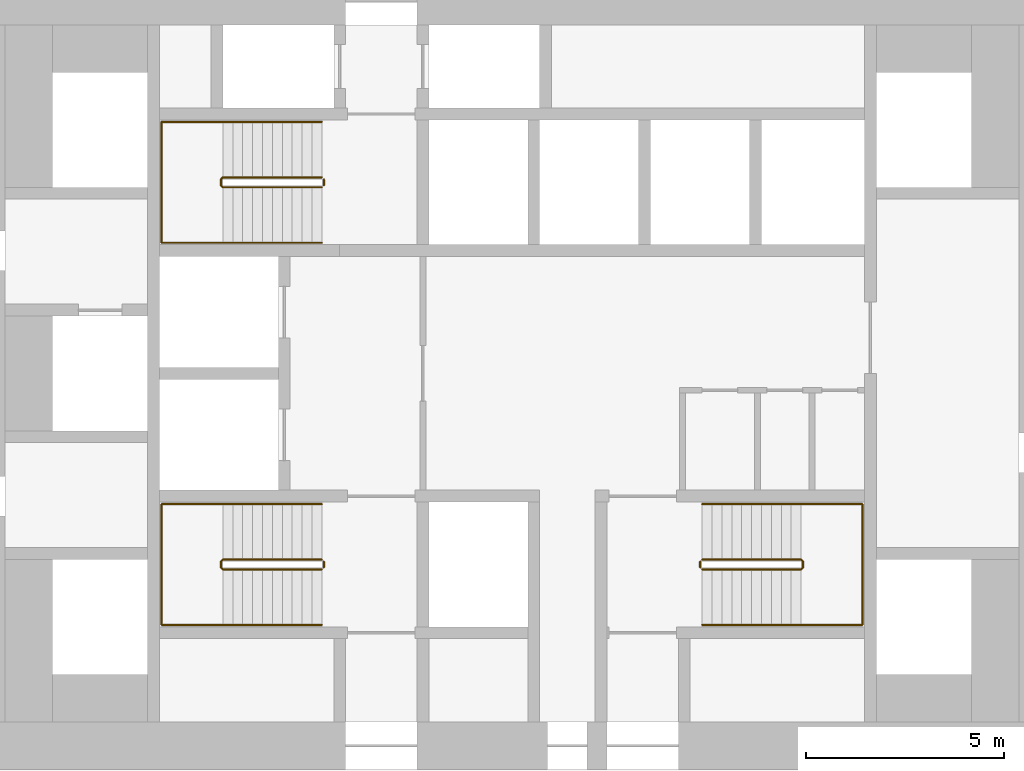
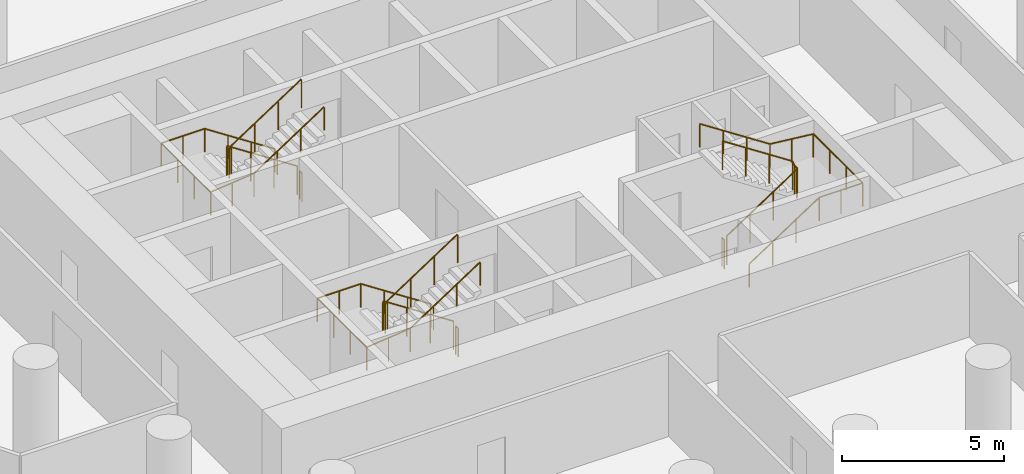
# One storey, part 12 of 12: 9 railings.
"""IFC4 building model written with IfcOpenShell, lengths in metres."""

from ifc_helpers import new_model, si_unit, direction, frame, origin, origin_2d, place, context, subcontext, project, spatial, circle, extrude, material, type_object, element, save


model = new_model("IFC4")

# Units and contexts
model_context = context("Model", 3, precision=1e-05, world=origin(), true_north=direction((0.0, 1.0)))
body_context = subcontext(model_context, "Body", "Model", "MODEL_VIEW")
ifc_project = project(units=[si_unit("LENGTHUNIT", "METRE"), si_unit("AREAUNIT", "SQUARE_METRE"), si_unit("VOLUMEUNIT", "CUBIC_METRE"), si_unit("PLANEANGLEUNIT", "RADIAN"), si_unit("MASSUNIT", "GRAM", prefix="KILO")], contexts=[model_context])

# Site, building, storey
site_placement = place(None, origin())
site = spatial("IfcSite", under=ifc_project, at=site_placement, CompositionType="ELEMENT")
building_placement = place(site_placement, origin())
building = spatial("IfcBuilding", under=site, at=building_placement, Name="Tracery Tower", CompositionType="ELEMENT")
storey_placement = place(building_placement, frame((0.0, 0.0, 111.0)))
storey = spatial("IfcBuildingStorey", under=building, at=storey_placement, Name="L28", CompositionType="ELEMENT", Elevation=111.0)

# Railings
ifc_material_1 = material(Name="Stainless steel and laminated glass", Category="steel")
railing_type_1 = type_object("IfcRailingType", Name="Stair guard 1100", PredefinedType="GUARDRAIL", material=ifc_material_1)
railing_1_placement = place(storey_placement, frame((-4.800048828125, -4.699951171875, 0.16357421875)))
element("IfcRailing", 1, at=railing_1_placement, inside=storey, type_object=railing_type_1, Name="L28 stair ST1 guard 1", PredefinedType="GUARDRAIL", context=body_context, shape_type="SweptSolid", body=[
    extrude(circle(Radius=0.02392578125, at=origin_2d()), frame((0.0, 0.0, 1.076171875), z_axis=(-0.83668449804, 0.0, 0.54768517484), x_axis=(0.0, -1.0, 0.0)), (0.0, 0.0, 1.0), 2.988037109375),
    extrude(circle(Radius=0.02392578125, at=origin_2d()), frame((-2.5, 0.0, 2.71240234375), z_axis=(-0.707106781187, -0.707106781187, 0.0), x_axis=(0.707106781187, -0.707106781187, 0.0)), (0.0, 0.0, 1.0), 0.07080078125),
    extrude(circle(Radius=0.02392578125, at=origin_2d()), frame((-2.550048828125, -0.050048828125, 2.71240234375), z_axis=(0.0, -1.0, 0.0), x_axis=(1.0, 0.0, 0.0)), (0.0, 0.0, 1.0), 0.14990234375),
    extrude(circle(Radius=0.02392578125, at=origin_2d()), frame((-2.550048828125, -0.199951171875, 2.71240234375), z_axis=(0.280808744504, -0.280808744504, 0.917765164963), x_axis=(0.707106781187, 0.707106781187, 0.0)), (0.0, 0.0, 1.0), 0.17822265625),
    extrude(circle(Radius=0.02392578125, at=origin_2d()), frame((-2.5, -0.25, 2.8759765625), z_axis=(0.83668449804, 0.0, 0.54768517484), x_axis=(0.0, 1.0, 0.0)), (0.0, 0.0, 1.0), 2.988037109375),
    extrude(circle(Radius=0.02099609375, at=origin_2d()), origin(), (0.0, 0.0, 1.0), 1.052001953125),
    extrude(circle(Radius=0.02099609375, at=origin_2d()), frame((-0.833251953125, 0.0, 0.54541015625)), (0.0, 0.0, 1.0), 1.052001953125),
    extrude(circle(Radius=0.02099609375, at=origin_2d()), frame((-1.666748046875, 0.0, 1.091064453125)), (0.0, 0.0, 1.0), 1.052001953125),
    extrude(circle(Radius=0.02099609375, at=origin_2d()), frame((-2.5, 0.0, 1.636474609375)), (0.0, 0.0, 1.0), 1.052001953125),
    extrude(circle(Radius=0.02099609375, at=origin_2d()), frame((-2.550048828125, -0.050048828125, 1.636474609375)), (0.0, 0.0, 1.0), 1.052001953125),
    extrude(circle(Radius=0.02099609375, at=origin_2d()), frame((-2.550048828125, -0.199951171875, 1.636474609375)), (0.0, 0.0, 1.0), 1.052001953125),
    extrude(circle(Radius=0.02099609375, at=origin_2d()), frame((-2.5, -0.25, 1.800048828125)), (0.0, 0.0, 1.0), 1.052001953125),
    extrude(circle(Radius=0.02099609375, at=origin_2d()), frame((-1.666748046875, -0.25, 2.345458984375)), (0.0, 0.0, 1.0), 1.052001953125),
    extrude(circle(Radius=0.02099609375, at=origin_2d()), frame((-0.833251953125, -0.25, 2.89111328125)), (0.0, 0.0, 1.0), 1.052001953125),
    extrude(circle(Radius=0.02099609375, at=origin_2d()), frame((0.0, -0.25, 3.4365234375)), (0.0, 0.0, 1.0), 1.052001953125),
])
railing_2_placement = place(storey_placement, frame((-4.75, -4.75, 0.0)))
element("IfcRailing", 2, at=railing_2_placement, inside=storey, type_object=railing_type_1, Name="L28 stair ST1 guard 2", PredefinedType="GUARDRAIL", context=body_context, shape_type="SweptSolid", body=[
    extrude(circle(Radius=0.02392578125, at=origin_2d()), frame((0.0, 0.0, 1.076171875), z_axis=(0.0, -1.0, 0.0), x_axis=(1.0, 0.0, 0.0)), (0.0, 0.0, 1.0), 0.14990234375),
    extrude(circle(Radius=0.02099609375, at=origin_2d()), origin(), (0.0, 0.0, 1.0), 1.052001953125),
    extrude(circle(Radius=0.02099609375, at=origin_2d()), frame((0.0, -0.14990234375, 0.0)), (0.0, 0.0, 1.0), 1.052001953125),
])
railing_3_placement = place(storey_placement, frame((-4.800048828125, 4.949951171875, 0.16357421875)))
element("IfcRailing", 3, at=railing_3_placement, inside=storey, type_object=railing_type_1, Name="L28 stair ST3 guard 1", PredefinedType="GUARDRAIL", context=body_context, shape_type="SweptSolid", body=[
    extrude(circle(Radius=0.02392578125, at=origin_2d()), frame((0.0, 0.0, 1.076171875), z_axis=(-0.83668449804, 0.0, 0.54768517484), x_axis=(0.0, -1.0, 0.0)), (0.0, 0.0, 1.0), 2.988037109375),
    extrude(circle(Radius=0.02392578125, at=origin_2d()), frame((-2.5, 0.0, 2.71240234375), z_axis=(-0.707106781187, -0.707106781187, 0.0), x_axis=(0.707106781187, -0.707106781187, 0.0)), (0.0, 0.0, 1.0), 0.07080078125),
    extrude(circle(Radius=0.02392578125, at=origin_2d()), frame((-2.550048828125, -0.050048828125, 2.71240234375), z_axis=(0.0, -1.0, 0.0), x_axis=(1.0, 0.0, 0.0)), (0.0, 0.0, 1.0), 0.14990234375),
    extrude(circle(Radius=0.02392578125, at=origin_2d()), frame((-2.550048828125, -0.199951171875, 2.71240234375), z_axis=(0.280808744504, -0.280808744504, 0.917765164963), x_axis=(0.707106781187, 0.707106781187, 0.0)), (0.0, 0.0, 1.0), 0.17822265625),
    extrude(circle(Radius=0.02392578125, at=origin_2d()), frame((-2.5, -0.25, 2.8759765625), z_axis=(0.83668449804, 0.0, 0.54768517484), x_axis=(0.0, 1.0, 0.0)), (0.0, 0.0, 1.0), 2.988037109375),
    extrude(circle(Radius=0.02099609375, at=origin_2d()), origin(), (0.0, 0.0, 1.0), 1.052001953125),
    extrude(circle(Radius=0.02099609375, at=origin_2d()), frame((-0.833251953125, 0.0, 0.54541015625)), (0.0, 0.0, 1.0), 1.052001953125),
    extrude(circle(Radius=0.02099609375, at=origin_2d()), frame((-1.666748046875, 0.0, 1.091064453125)), (0.0, 0.0, 1.0), 1.052001953125),
    extrude(circle(Radius=0.02099609375, at=origin_2d()), frame((-2.5, 0.0, 1.636474609375)), (0.0, 0.0, 1.0), 1.052001953125),
    extrude(circle(Radius=0.02099609375, at=origin_2d()), frame((-2.550048828125, -0.050048828125, 1.636474609375)), (0.0, 0.0, 1.0), 1.052001953125),
    extrude(circle(Radius=0.02099609375, at=origin_2d()), frame((-2.550048828125, -0.199951171875, 1.636474609375)), (0.0, 0.0, 1.0), 1.052001953125),
    extrude(circle(Radius=0.02099609375, at=origin_2d()), frame((-2.5, -0.25, 1.800048828125)), (0.0, 0.0, 1.0), 1.052001953125),
    extrude(circle(Radius=0.02099609375, at=origin_2d()), frame((-1.666748046875, -0.25, 2.345458984375)), (0.0, 0.0, 1.0), 1.052001953125),
    extrude(circle(Radius=0.02099609375, at=origin_2d()), frame((-0.833251953125, -0.25, 2.89111328125)), (0.0, 0.0, 1.0), 1.052001953125),
    extrude(circle(Radius=0.02099609375, at=origin_2d()), frame((0.0, -0.25, 3.4365234375)), (0.0, 0.0, 1.0), 1.052001953125),
])
railing_4_placement = place(storey_placement, frame((-4.75, 4.89990234375, 0.0)))
element("IfcRailing", 4, at=railing_4_placement, inside=storey, type_object=railing_type_1, Name="L28 stair ST3 guard 2", PredefinedType="GUARDRAIL", context=body_context, shape_type="SweptSolid", body=[
    extrude(circle(Radius=0.02392578125, at=origin_2d()), frame((0.0, 0.0, 1.076171875), z_axis=(0.0, -1.0, 0.0), x_axis=(1.0, 0.0, 0.0)), (0.0, 0.0, 1.0), 0.14990234375),
    extrude(circle(Radius=0.02099609375, at=origin_2d()), origin(), (0.0, 0.0, 1.0), 1.052001953125),
    extrude(circle(Radius=0.02099609375, at=origin_2d()), frame((0.0, -0.14990234375, 0.0)), (0.0, 0.0, 1.0), 1.052001953125),
])
railing_5_placement = place(storey_placement, frame((4.800048828125, -4.949951171875, 0.16357421875)))
element("IfcRailing", 5, at=railing_5_placement, inside=storey, type_object=railing_type_1, Name="L28 stair ST2 guard 1", PredefinedType="GUARDRAIL", context=body_context, shape_type="SweptSolid", body=[
    extrude(circle(Radius=0.02392578125, at=origin_2d()), frame((0.0, 0.0, 1.076171875), z_axis=(0.83668449804, 0.0, 0.54768517484), x_axis=(0.0, 1.0, 0.0)), (0.0, 0.0, 1.0), 2.988037109375),
    extrude(circle(Radius=0.02392578125, at=origin_2d()), frame((2.5, 0.0, 2.71240234375), z_axis=(0.707106781187, 0.707106781187, 0.0), x_axis=(-0.707106781187, 0.707106781187, 0.0)), (0.0, 0.0, 1.0), 0.07080078125),
    extrude(circle(Radius=0.02392578125, at=origin_2d()), frame((2.550048828125, 0.050048828125, 2.71240234375), z_axis=(0.0, 1.0, 0.0), x_axis=(-1.0, 0.0, 0.0)), (0.0, 0.0, 1.0), 0.14990234375),
    extrude(circle(Radius=0.02392578125, at=origin_2d()), frame((2.550048828125, 0.199951171875, 2.71240234375), z_axis=(-0.280808744504, 0.280808744504, 0.917765164963), x_axis=(-0.707106781187, -0.707106781187, 0.0)), (0.0, 0.0, 1.0), 0.17822265625),
    extrude(circle(Radius=0.02392578125, at=origin_2d()), frame((2.5, 0.25, 2.8759765625), z_axis=(-0.83668449804, 0.0, 0.54768517484), x_axis=(0.0, -1.0, 0.0)), (0.0, 0.0, 1.0), 2.988037109375),
    extrude(circle(Radius=0.02099609375, at=origin_2d()), origin(), (0.0, 0.0, 1.0), 1.052001953125),
    extrude(circle(Radius=0.02099609375, at=origin_2d()), frame((0.833251953125, 0.0, 0.54541015625)), (0.0, 0.0, 1.0), 1.052001953125),
    extrude(circle(Radius=0.02099609375, at=origin_2d()), frame((1.666748046875, 0.0, 1.091064453125)), (0.0, 0.0, 1.0), 1.052001953125),
    extrude(circle(Radius=0.02099609375, at=origin_2d()), frame((2.5, 0.0, 1.636474609375)), (0.0, 0.0, 1.0), 1.052001953125),
    extrude(circle(Radius=0.02099609375, at=origin_2d()), frame((2.550048828125, 0.050048828125, 1.636474609375)), (0.0, 0.0, 1.0), 1.052001953125),
    extrude(circle(Radius=0.02099609375, at=origin_2d()), frame((2.550048828125, 0.199951171875, 1.636474609375)), (0.0, 0.0, 1.0), 1.052001953125),
    extrude(circle(Radius=0.02099609375, at=origin_2d()), frame((2.5, 0.25, 1.800048828125)), (0.0, 0.0, 1.0), 1.052001953125),
    extrude(circle(Radius=0.02099609375, at=origin_2d()), frame((1.666748046875, 0.25, 2.345458984375)), (0.0, 0.0, 1.0), 1.052001953125),
    extrude(circle(Radius=0.02099609375, at=origin_2d()), frame((0.833251953125, 0.25, 2.89111328125)), (0.0, 0.0, 1.0), 1.052001953125),
    extrude(circle(Radius=0.02099609375, at=origin_2d()), frame((0.0, 0.25, 3.4365234375)), (0.0, 0.0, 1.0), 1.052001953125),
])
railing_6_placement = place(storey_placement, frame((4.75, -4.89990234375, 0.0)))
element("IfcRailing", 6, at=railing_6_placement, inside=storey, type_object=railing_type_1, Name="L28 stair ST2 guard 2", PredefinedType="GUARDRAIL", context=body_context, shape_type="SweptSolid", body=[
    extrude(circle(Radius=0.02392578125, at=origin_2d()), frame((0.0, 0.0, 1.076171875), z_axis=(0.0, 1.0, 0.0), x_axis=(-1.0, 0.0, 0.0)), (0.0, 0.0, 1.0), 0.14990234375),
    extrude(circle(Radius=0.02099609375, at=origin_2d()), origin(), (0.0, 0.0, 1.0), 1.052001953125),
    extrude(circle(Radius=0.02099609375, at=origin_2d()), frame((0.0, 0.14990234375, 0.0)), (0.0, 0.0, 1.0), 1.052001953125),
])
ifc_material_2 = material(Name="Stainless steel and laminated glass", Category="steel")
railing_type_2 = type_object("IfcRailingType", Name="Stair handrail 900", PredefinedType="HANDRAIL", material=ifc_material_2)
railing_7_placement = place(storey_placement, frame((-4.800048828125, -3.300048828125, 0.16357421875)))
element("IfcRailing", 7, at=railing_7_placement, inside=storey, type_object=railing_type_2, Name="L28 stair ST1 handrail 1", PredefinedType="HANDRAIL", context=body_context, shape_type="SweptSolid", body=[
    extrude(circle(Radius=0.02392578125, at=origin_2d()), frame((0.0, 0.0, 0.8759765625), z_axis=(-0.83668449804, 0.0, 0.54768517484), x_axis=(0.0, -1.0, 0.0)), (0.0, 0.0, 1.0), 2.988037109375),
    extrude(circle(Radius=0.02392578125, at=origin_2d()), frame((-2.5, 0.0, 2.51220703125), z_axis=(-1.0, 0.0, 0.0), x_axis=(0.0, -1.0, 0.0)), (0.0, 0.0, 1.0), 1.550048828125),
    extrude(circle(Radius=0.02392578125, at=origin_2d()), frame((-4.050048828125, 0.0, 2.51220703125), z_axis=(0.0, -1.0, 0.0), x_axis=(1.0, 0.0, 0.0)), (0.0, 0.0, 1.0), 3.050048828125),
    extrude(circle(Radius=0.02392578125, at=origin_2d()), frame((-4.050048828125, -3.050048828125, 2.51220703125), z_axis=(0.994477953863, 0.0, 0.104945696817), x_axis=(0.0, 1.0, 0.0)), (0.0, 0.0, 1.0), 1.55859375),
    extrude(circle(Radius=0.02392578125, at=origin_2d()), frame((-2.5, -3.050048828125, 2.67578125), z_axis=(0.83668449804, 0.0, 0.54768517484), x_axis=(0.0, 1.0, 0.0)), (0.0, 0.0, 1.0), 2.988037109375),
    extrude(circle(Radius=0.02099609375, at=origin_2d()), origin(), (0.0, 0.0, 1.0), 0.851806640625),
    extrude(circle(Radius=0.02099609375, at=origin_2d()), frame((-0.833251953125, 0.0, 0.54541015625)), (0.0, 0.0, 1.0), 0.851806640625),
    extrude(circle(Radius=0.02099609375, at=origin_2d()), frame((-1.666748046875, 0.0, 1.091064453125)), (0.0, 0.0, 1.0), 0.851806640625),
    extrude(circle(Radius=0.02099609375, at=origin_2d()), frame((-2.5, 0.0, 1.636474609375)), (0.0, 0.0, 1.0), 0.851806640625),
    extrude(circle(Radius=0.02099609375, at=origin_2d()), frame((-3.27490234375, 0.0, 1.636474609375)), (0.0, 0.0, 1.0), 0.851806640625),
    extrude(circle(Radius=0.02099609375, at=origin_2d()), frame((-4.050048828125, 0.0, 1.636474609375)), (0.0, 0.0, 1.0), 0.851806640625),
    extrude(circle(Radius=0.02099609375, at=origin_2d()), frame((-4.050048828125, -1.0166015625, 1.636474609375)), (0.0, 0.0, 1.0), 0.851806640625),
    extrude(circle(Radius=0.02099609375, at=origin_2d()), frame((-4.050048828125, -2.033447265625, 1.636474609375)), (0.0, 0.0, 1.0), 0.851806640625),
    extrude(circle(Radius=0.02099609375, at=origin_2d()), frame((-4.050048828125, -3.050048828125, 1.636474609375)), (0.0, 0.0, 1.0), 0.851806640625),
    extrude(circle(Radius=0.02099609375, at=origin_2d()), frame((-3.27490234375, -3.050048828125, 1.71826171875)), (0.0, 0.0, 1.0), 0.851806640625),
    extrude(circle(Radius=0.02099609375, at=origin_2d()), frame((-2.5, -3.050048828125, 1.800048828125)), (0.0, 0.0, 1.0), 0.851806640625),
    extrude(circle(Radius=0.02099609375, at=origin_2d()), frame((-1.666748046875, -3.050048828125, 2.345458984375)), (0.0, 0.0, 1.0), 0.851806640625),
    extrude(circle(Radius=0.02099609375, at=origin_2d()), frame((-0.833251953125, -3.050048828125, 2.89111328125)), (0.0, 0.0, 1.0), 0.851806640625),
    extrude(circle(Radius=0.02099609375, at=origin_2d()), frame((0.0, -3.050048828125, 3.4365234375)), (0.0, 0.0, 1.0), 0.851806640625),
])
railing_8_placement = place(storey_placement, frame((-4.800048828125, 6.35009765625, 0.16357421875)))
element("IfcRailing", 8, at=railing_8_placement, inside=storey, type_object=railing_type_2, Name="L28 stair ST3 handrail 1", PredefinedType="HANDRAIL", context=body_context, shape_type="SweptSolid", body=[
    extrude(circle(Radius=0.02392578125, at=origin_2d()), frame((0.0, 0.0, 0.8759765625), z_axis=(-0.83668449804, 0.0, 0.54768517484), x_axis=(0.0, -1.0, 0.0)), (0.0, 0.0, 1.0), 2.988037109375),
    extrude(circle(Radius=0.02392578125, at=origin_2d()), frame((-2.5, 0.0, 2.51220703125), z_axis=(-1.0, 0.0, 0.0), x_axis=(0.0, -1.0, 0.0)), (0.0, 0.0, 1.0), 1.550048828125),
    extrude(circle(Radius=0.02392578125, at=origin_2d()), frame((-4.050048828125, 0.0, 2.51220703125), z_axis=(0.0, -1.0, 0.0), x_axis=(1.0, 0.0, 0.0)), (0.0, 0.0, 1.0), 3.050048828125),
    extrude(circle(Radius=0.02392578125, at=origin_2d()), frame((-4.050048828125, -3.050048828125, 2.51220703125), z_axis=(0.994477953863, 0.0, 0.104945696817), x_axis=(0.0, 1.0, 0.0)), (0.0, 0.0, 1.0), 1.55859375),
    extrude(circle(Radius=0.02392578125, at=origin_2d()), frame((-2.5, -3.050048828125, 2.67578125), z_axis=(0.83668449804, 0.0, 0.54768517484), x_axis=(0.0, 1.0, 0.0)), (0.0, 0.0, 1.0), 2.988037109375),
    extrude(circle(Radius=0.02099609375, at=origin_2d()), origin(), (0.0, 0.0, 1.0), 0.851806640625),
    extrude(circle(Radius=0.02099609375, at=origin_2d()), frame((-0.833251953125, 0.0, 0.54541015625)), (0.0, 0.0, 1.0), 0.851806640625),
    extrude(circle(Radius=0.02099609375, at=origin_2d()), frame((-1.666748046875, 0.0, 1.091064453125)), (0.0, 0.0, 1.0), 0.851806640625),
    extrude(circle(Radius=0.02099609375, at=origin_2d()), frame((-2.5, 0.0, 1.636474609375)), (0.0, 0.0, 1.0), 0.851806640625),
    extrude(circle(Radius=0.02099609375, at=origin_2d()), frame((-3.27490234375, 0.0, 1.636474609375)), (0.0, 0.0, 1.0), 0.851806640625),
    extrude(circle(Radius=0.02099609375, at=origin_2d()), frame((-4.050048828125, 0.0, 1.636474609375)), (0.0, 0.0, 1.0), 0.851806640625),
    extrude(circle(Radius=0.02099609375, at=origin_2d()), frame((-4.050048828125, -1.0166015625, 1.636474609375)), (0.0, 0.0, 1.0), 0.851806640625),
    extrude(circle(Radius=0.02099609375, at=origin_2d()), frame((-4.050048828125, -2.033447265625, 1.636474609375)), (0.0, 0.0, 1.0), 0.851806640625),
    extrude(circle(Radius=0.02099609375, at=origin_2d()), frame((-4.050048828125, -3.050048828125, 1.636474609375)), (0.0, 0.0, 1.0), 0.851806640625),
    extrude(circle(Radius=0.02099609375, at=origin_2d()), frame((-3.27490234375, -3.050048828125, 1.71826171875)), (0.0, 0.0, 1.0), 0.851806640625),
    extrude(circle(Radius=0.02099609375, at=origin_2d()), frame((-2.5, -3.050048828125, 1.800048828125)), (0.0, 0.0, 1.0), 0.851806640625),
    extrude(circle(Radius=0.02099609375, at=origin_2d()), frame((-1.666748046875, -3.050048828125, 2.345458984375)), (0.0, 0.0, 1.0), 0.851806640625),
    extrude(circle(Radius=0.02099609375, at=origin_2d()), frame((-0.833251953125, -3.050048828125, 2.89111328125)), (0.0, 0.0, 1.0), 0.851806640625),
    extrude(circle(Radius=0.02099609375, at=origin_2d()), frame((0.0, -3.050048828125, 3.4365234375)), (0.0, 0.0, 1.0), 0.851806640625),
])
railing_9_placement = place(storey_placement, frame((4.800048828125, -6.35009765625, 0.16357421875)))
element("IfcRailing", 9, at=railing_9_placement, inside=storey, type_object=railing_type_2, Name="L28 stair ST2 handrail 1", PredefinedType="HANDRAIL", context=body_context, shape_type="SweptSolid", body=[
    extrude(circle(Radius=0.02392578125, at=origin_2d()), frame((0.0, 0.0, 0.8759765625), z_axis=(0.83668449804, 0.0, 0.54768517484), x_axis=(0.0, 1.0, 0.0)), (0.0, 0.0, 1.0), 2.988037109375),
    extrude(circle(Radius=0.02392578125, at=origin_2d()), frame((2.5, 0.0, 2.51220703125), z_axis=(1.0, 0.0, 0.0), x_axis=(0.0, 1.0, 0.0)), (0.0, 0.0, 1.0), 1.550048828125),
    extrude(circle(Radius=0.02392578125, at=origin_2d()), frame((4.050048828125, 0.0, 2.51220703125), z_axis=(0.0, 1.0, 0.0), x_axis=(-1.0, 0.0, 0.0)), (0.0, 0.0, 1.0), 3.050048828125),
    extrude(circle(Radius=0.02392578125, at=origin_2d()), frame((4.050048828125, 3.050048828125, 2.51220703125), z_axis=(-0.994477953863, 0.0, 0.104945696817), x_axis=(0.0, -1.0, 0.0)), (0.0, 0.0, 1.0), 1.55859375),
    extrude(circle(Radius=0.02392578125, at=origin_2d()), frame((2.5, 3.050048828125, 2.67578125), z_axis=(-0.83668449804, 0.0, 0.54768517484), x_axis=(0.0, -1.0, 0.0)), (0.0, 0.0, 1.0), 2.988037109375),
    extrude(circle(Radius=0.02099609375, at=origin_2d()), origin(), (0.0, 0.0, 1.0), 0.851806640625),
    extrude(circle(Radius=0.02099609375, at=origin_2d()), frame((0.833251953125, 0.0, 0.54541015625)), (0.0, 0.0, 1.0), 0.851806640625),
    extrude(circle(Radius=0.02099609375, at=origin_2d()), frame((1.666748046875, 0.0, 1.091064453125)), (0.0, 0.0, 1.0), 0.851806640625),
    extrude(circle(Radius=0.02099609375, at=origin_2d()), frame((2.5, 0.0, 1.636474609375)), (0.0, 0.0, 1.0), 0.851806640625),
    extrude(circle(Radius=0.02099609375, at=origin_2d()), frame((3.27490234375, 0.0, 1.636474609375)), (0.0, 0.0, 1.0), 0.851806640625),
    extrude(circle(Radius=0.02099609375, at=origin_2d()), frame((4.050048828125, 0.0, 1.636474609375)), (0.0, 0.0, 1.0), 0.851806640625),
    extrude(circle(Radius=0.02099609375, at=origin_2d()), frame((4.050048828125, 1.0166015625, 1.636474609375)), (0.0, 0.0, 1.0), 0.851806640625),
    extrude(circle(Radius=0.02099609375, at=origin_2d()), frame((4.050048828125, 2.033447265625, 1.636474609375)), (0.0, 0.0, 1.0), 0.851806640625),
    extrude(circle(Radius=0.02099609375, at=origin_2d()), frame((4.050048828125, 3.050048828125, 1.636474609375)), (0.0, 0.0, 1.0), 0.851806640625),
    extrude(circle(Radius=0.02099609375, at=origin_2d()), frame((3.27490234375, 3.050048828125, 1.71826171875)), (0.0, 0.0, 1.0), 0.851806640625),
    extrude(circle(Radius=0.02099609375, at=origin_2d()), frame((2.5, 3.050048828125, 1.800048828125)), (0.0, 0.0, 1.0), 0.851806640625),
    extrude(circle(Radius=0.02099609375, at=origin_2d()), frame((1.666748046875, 3.050048828125, 2.345458984375)), (0.0, 0.0, 1.0), 0.851806640625),
    extrude(circle(Radius=0.02099609375, at=origin_2d()), frame((0.833251953125, 3.050048828125, 2.89111328125)), (0.0, 0.0, 1.0), 0.851806640625),
    extrude(circle(Radius=0.02099609375, at=origin_2d()), frame((0.0, 3.050048828125, 3.4365234375)), (0.0, 0.0, 1.0), 0.851806640625),
])

save(model, "model.ifc")
